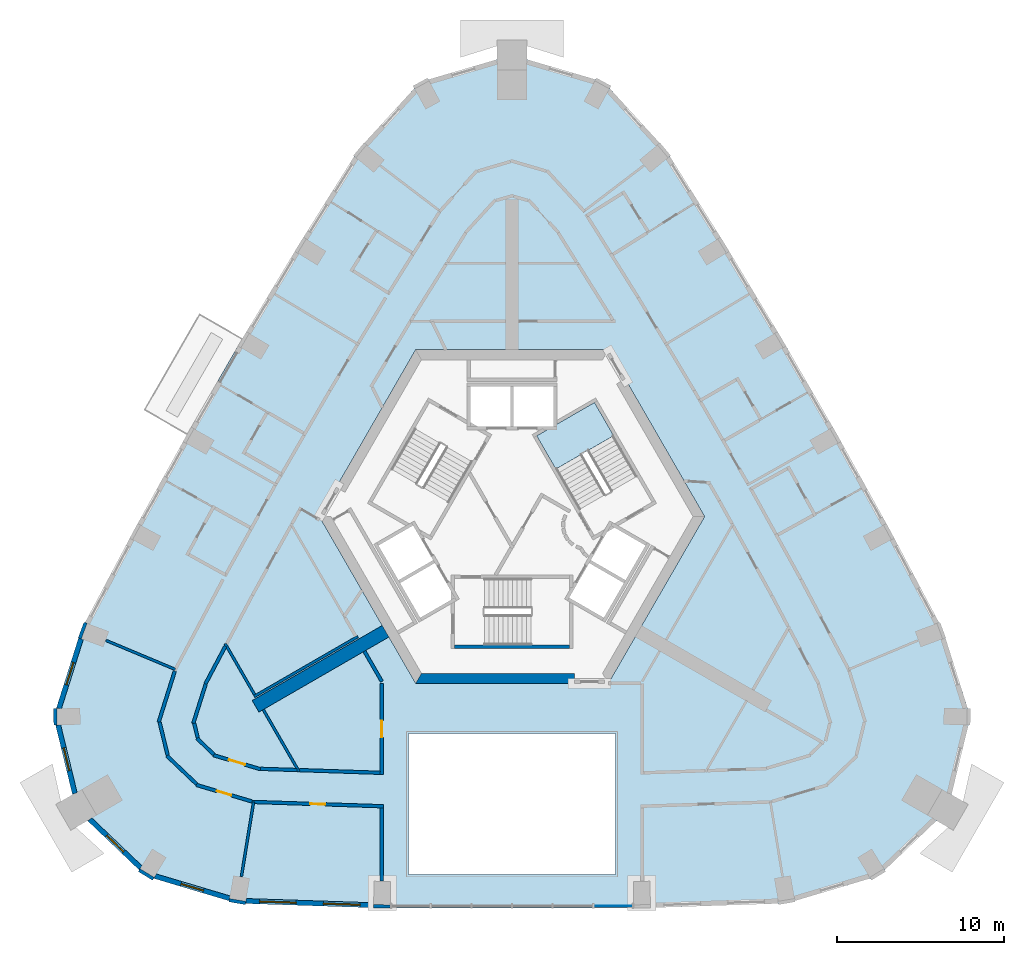
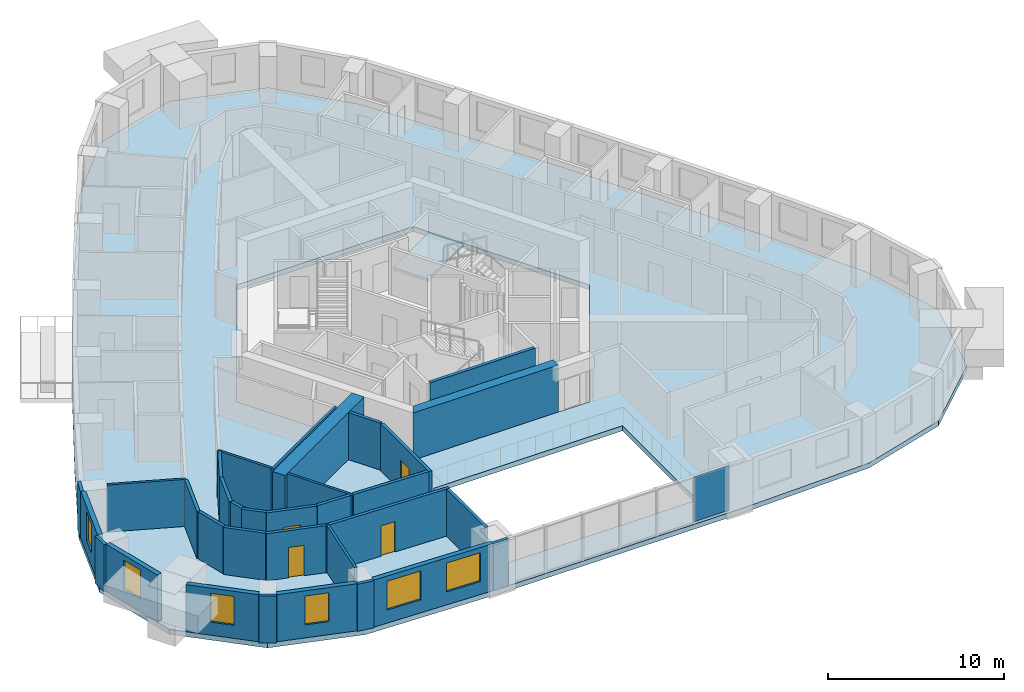
# One storey, part 3 of 13: 33 walls, 6 windows, 4 doors, 2 slabs, 1 plate, 10 openings, 2 elements without a shape of their own.
"""IFC4 building model written with IfcOpenShell, lengths in metres."""

from ifc_helpers import new_model, si_unit, direction, frame, frame_2d, origin, origin_2d, place, context, subcontext, project, spatial, polyline, rectangle, outline, extrude, material, layer, layer_set, type_object, element, fill, aggregate, save


model = new_model("IFC4")

# Units and contexts
model_context = context("Model", 3, precision=1e-05, world=origin(), true_north=direction((0.0, 1.0)))
body_context = subcontext(model_context, "Body", "Model", "MODEL_VIEW")
ifc_project = project(units=[si_unit("LENGTHUNIT", "METRE"), si_unit("AREAUNIT", "SQUARE_METRE"), si_unit("VOLUMEUNIT", "CUBIC_METRE"), si_unit("PLANEANGLEUNIT", "RADIAN"), si_unit("MASSUNIT", "GRAM", prefix="KILO")], contexts=[model_context])

# Site, building, storey
site_placement = place(None, origin())
site = spatial("IfcSite", under=ifc_project, at=site_placement, CompositionType="ELEMENT")
building_placement = place(site_placement, origin())
building = spatial("IfcBuilding", under=site, at=building_placement, Name="Entoto Arch Interchange Tower", CompositionType="ELEMENT")
storey_placement = place(building_placement, frame((0.0, 0.0, 270.199951171875)))
storey = spatial("IfcBuildingStorey", under=building, at=storey_placement, Name="L62", CompositionType="ELEMENT", Elevation=270.199951171875)

# Stair, slab
ifc_material_1 = material(Name="Concrete C40/50", Category="concrete")
stair_type = type_object("IfcStairType", Name="EXIT STAIR RC 1800", PredefinedType="HALF_TURN_STAIR", material=ifc_material_1)
stair_placement = place(storey_placement, origin())
stair = element("IfcStair", 1, at=stair_placement, inside=storey, type_object=stair_type, Name="L62 Exit stair NE", PredefinedType="HALF_TURN_STAIR")
ifc_layer_1 = layer(ifc_material_1, 0.199951171875)
ifc_layer_set_1 = layer_set([ifc_layer_1], Name="Concrete C40/50")
slab_type_1 = type_object("IfcSlabType", Name="EXIT STAIR LANDING RC 200", PredefinedType="LANDING", material=ifc_layer_set_1)
slab_1_placement = place(storey_placement, frame((0.0, 0.0, 1.60009765625)))
slab_1 = element("IfcSlab", 2, at=slab_1_placement, type_object=slab_type_1, Name="ST-NE landing 1", PredefinedType="LANDING", context=body_context, shape_type="SweptSolid", body=[
    extrude(outline(polyline([(6.093505859375, 7.345947265625), (4.943359375, 9.337890625), (1.479248046875, 7.337890625), (2.62939453125, 5.345947265625), (6.093505859375, 7.345947265625)])), origin(), (0.0, 0.0, 1.0), 0.199951171875),
])
aggregate(stair, [slab_1])

# Curtain wall, plate
ifc_material_2 = material(Name="Aluminium, anodised", Category="aluminium")
curtain_wall_type = type_object("IfcCurtainWallType", Name="CURTAIN WALL ATRIUM", PredefinedType="NOTDEFINED", material=ifc_material_2)
curtain_wall_placement = place(storey_placement, origin())
curtain_wall = element("IfcCurtainWall", 3, at=curtain_wall_placement, inside=storey, type_object=curtain_wall_type, Name="Atrium glazing S-02 L62", PredefinedType="NOTDEFINED")
ifc_material_3 = material(Name="Clear glass, low-e double glazed", Category="glass")
ifc_layer_2 = layer(ifc_material_3, 0.031982421875)
ifc_layer_set_2 = layer_set([ifc_layer_2], Name="Clear glass, low-e double glazed")
plate_type = type_object("IfcPlateType", Name="GLAZING PANEL ATRIUM 32", PredefinedType="CURTAIN_PANEL", material=ifc_layer_set_2)
plate_placement = place(storey_placement, frame((6.0576171875, -20.843994140625, 0.080078125), z_axis=(0.0, 0.0, 1.0), x_axis=(1.0, 0.0, 0.0)))
plate = element("IfcPlate", 4, at=plate_placement, type_object=plate_type, Name="CWA panel 6.1", PredefinedType="CURTAIN_PANEL", context=body_context, shape_type="SweptSolid", body=[
    extrude(rectangle(XDim=2.282958984375, YDim=0.031982421875, at=origin_2d()), origin(), (0.0, 0.0, 1.0), 3.10009765625),
])
aggregate(curtain_wall, [plate])

# Slab
ifc_layer_3 = layer(ifc_material_1, 0.340087890625)
ifc_layer_set_3 = layer_set([ifc_layer_3], Name="Concrete C40/50")
slab_type_2 = type_object("IfcSlabType", Name="Post-tensioned flat plate 340 C40/50", PredefinedType="FLOOR", material=ifc_layer_set_3)
slab_2_placement = place(storey_placement, frame((0.0, 0.0, -0.33984375)))
element("IfcSlab", 5, at=slab_2_placement, inside=storey, type_object=slab_type_2, Name="Floor slab L62", PredefinedType="FLOOR", context=body_context, shape_type="SweptSolid", body=[
    extrude(outline(polyline([(-16.47998046875, -20.679931640625), (-7.800048828125, -20.968994140625), (7.800048828125, -20.968994140625), (16.47998046875, -20.679931640625), (21.97705078125, -19.0419921875), (26.125, -15.083984375), (27.47900390625, -9.510986328125), (25.83203125, -4.299072265625), (22.681884765625, 1.64404296875), (19.47998046875, 7.428955078125), (16.174072265625, 13.155029296875), (12.764892578125, 18.822021484375), (9.19189453125, 24.52099609375), (5.501953125, 28.553955078125), (0.0, 30.1669921875), (-5.501953125, 28.553955078125), (-9.19189453125, 24.52099609375), (-12.764892578125, 18.822021484375), (-16.174072265625, 13.155029296875), (-19.47998046875, 7.428955078125), (-22.681884765625, 1.64404296875), (-25.83203125, -4.299072265625), (-27.47900390625, -9.510986328125), (-26.125, -15.083984375), (-21.97705078125, -19.0419921875), (-16.47998046875, -20.679931640625)]), holes=[polyline([(6.199951171875, -18.968994140625), (6.199951171875, -10.5), (-6.199951171875, -10.5), (-6.199951171875, -18.968994140625), (6.199951171875, -18.968994140625)]), polyline([(11.547119140625, 2.5), (5.77392578125, 12.5), (-5.77392578125, 12.5), (-11.547119140625, 2.5), (-5.77392578125, -7.5), (5.77392578125, -7.5), (11.547119140625, 2.5)])]), origin(), (0.0, 0.0, 1.0), 0.33984375),
])

# Walls
ifc_layer_4 = layer(ifc_material_1, 0.800048828125)
ifc_layer_set_4 = layer_set([ifc_layer_4], Name="Concrete C40/50")
wall_type_1 = type_object("IfcWallType", Name="Buttress wall 800 C40/50", PredefinedType="SHEAR", material=ifc_layer_set_4)
wall_1_placement = place(storey_placement, frame((-7.577880859375, -4.375, -0.33984375), z_axis=(0.0, 0.0, 1.0), x_axis=(-0.866024315419, -0.5000018851, 0.0)))
element("IfcWall", 6, at=wall_1_placement, inside=storey, type_object=wall_type_1, Name="Buttress wall SW L62", PredefinedType="SHEAR", context=body_context, shape_type="SweptSolid", body=[
    extrude(rectangle(XDim=9.0, YDim=0.800048828125, at=frame_2d((4.5, 0.0))), origin(), (0.0, 0.0, 1.0), 3.599853515625),
])
ifc_layer_5 = layer(ifc_material_1, 0.60009765625)
ifc_layer_set_5 = layer_set([ifc_layer_5], Name="Concrete C40/50")
wall_type_2 = type_object("IfcWallType", Name="Core wall 600 C40/50", PredefinedType="SHEAR", material=ifc_layer_set_5)
wall_2_placement = place(storey_placement, frame((0.0, 0.0, -0.33984375)))
element("IfcWall", 7, at=wall_2_placement, inside=storey, type_object=wall_type_2, Name="Core wall S L62", PredefinedType="SHEAR", context=body_context, shape_type="SweptSolid", body=[
    extrude(outline(polyline([(3.75, -7.5), (3.75, -6.89990234375), (-5.427001953125, -6.89990234375), (-5.77392578125, -7.5), (3.75, -7.5)])), origin(), (0.0, 0.0, 1.0), 3.599853515625),
])
ifc_material_4 = material(Name="Gypsum board partition on steel studs", Category="steel")
ifc_layer_6 = layer(ifc_material_4, 0.14990234375)
ifc_layer_set_6 = layer_set([ifc_layer_6], Name="Gypsum board partition on steel studs")
wall_type_3 = type_object("IfcWallType", Name="PARTITION 150", PredefinedType="PARTITIONING", material=ifc_layer_set_6)
wall_3_placement = place(storey_placement, frame((-9.239990234375, -4.695068359375, 0.0), z_axis=(0.0, 0.0, 1.0), x_axis=(-0.866015037582, -0.500017954359, 0.0)))
element("IfcWall", 8, at=wall_3_placement, inside=storey, type_object=wall_type_3, Name="wall:L62:p108", PredefinedType="PARTITIONING", context=body_context, shape_type="SweptSolid", body=[
    extrude(rectangle(XDim=7.175537109375, YDim=0.14990234375, at=frame_2d((3.587890625, 0.0))), origin(), (0.0, 0.0, 1.0), 3.260009765625),
])
wall_4_placement = place(storey_placement, frame((-15.427001953125, -8.179931640625, 0.0), z_axis=(0.0, 0.0, 1.0), x_axis=(-0.500045204515, 0.865999303373, 0.0)))
element("IfcWall", 9, at=wall_4_placement, inside=storey, type_object=wall_type_3, Name="wall:L62:p109", PredefinedType="PARTITIONING", context=body_context, shape_type="SweptSolid", body=[
    extrude(rectangle(XDim=3.535888671875, YDim=0.14990234375, at=frame_2d((1.76806640625, 0.0))), origin(), (0.0, 0.0, 1.0), 3.260009765625),
])
wall_5_placement = place(storey_placement, frame((-12.76904296875, -12.783935546875, 0.0), z_axis=(0.0, 0.0, 1.0), x_axis=(-0.499998569178, 0.866026229868, 0.0)))
element("IfcWall", 10, at=wall_5_placement, inside=storey, type_object=wall_type_3, Name="wall:L62:p110", PredefinedType="PARTITIONING", context=body_context, shape_type="SweptSolid", body=[
    extrude(rectangle(XDim=4.2861328125, YDim=0.14990234375, at=frame_2d((2.14306640625, 0.0))), origin(), (0.0, 0.0, 1.0), 3.260009765625),
])
wall_6_placement = place(storey_placement, frame((-20.18310546875, -6.666015625, 0.0), z_axis=(0.0, 0.0, 1.0), x_axis=(-0.922347108299, 0.386362280525, 0.0)))
element("IfcWall", 11, at=wall_6_placement, inside=storey, type_object=wall_type_3, Name="wall:L62:p143", PredefinedType="PARTITIONING", context=body_context, shape_type="SweptSolid", body=[
    extrude(rectangle(XDim=4.50341796875, YDim=0.14990234375, at=frame_2d((2.251708984375, 0.0))), origin(), (0.0, 0.0, 1.0), 3.260009765625),
])
wall_7_placement = place(storey_placement, frame((-15.490966796875, -14.610107421875, 0.0), z_axis=(0.0, 0.0, 1.0), x_axis=(-0.160928343418, -0.986966092774, 0.0)))
element("IfcWall", 12, at=wall_7_placement, inside=storey, type_object=wall_type_3, Name="wall:L62:p144", PredefinedType="PARTITIONING", context=body_context, shape_type="SweptSolid", body=[
    extrude(rectangle(XDim=4.530029296875, YDim=0.14990234375, at=frame_2d((2.26513671875, 0.0))), origin(), (0.0, 0.0, 1.0), 3.260009765625),
])
ifc_layer_7 = layer(ifc_material_4, 0.199951171875)
ifc_layer_set_7 = layer_set([ifc_layer_7], Name="Gypsum board partition on steel studs")
wall_type_4 = type_object("IfcWallType", Name="PARTITION 200", PredefinedType="PARTITIONING", material=ifc_layer_set_7)
wall_8_placement = place(storey_placement, frame((-12.743896484375, -12.699951171875, 0.0), z_axis=(0.0, 0.0, 1.0), x_axis=(0.999447196828, -0.033246063702, 0.0)))
element("IfcWall", 13, at=wall_8_placement, inside=storey, type_object=wall_type_4, Name="wall:L62:p031", PredefinedType="PARTITIONING", context=body_context, shape_type="SweptSolid", body=[
    extrude(rectangle(XDim=4.8466796875, YDim=0.199951171875, at=frame_2d((2.42333984375, 0.0))), origin(), (0.0, 0.0, 1.0), 3.260009765625),
])
wall_9_placement = place(storey_placement, frame((-17.179931640625, -5.27099609375, 0.0), z_axis=(0.0, 0.0, 1.0), x_axis=(-0.468212372113, -0.883615965564, 0.0)))
element("IfcWall", 14, at=wall_9_placement, inside=storey, type_object=wall_type_4, Name="wall:L62:p032", PredefinedType="PARTITIONING", context=body_context, shape_type="SweptSolid", body=[
    extrude(rectangle(XDim=2.556640625, YDim=0.199951171875, at=frame_2d((1.2783203125, 0.0))), origin(), (0.0, 0.0, 1.0), 3.260009765625),
])
wall_10_placement = place(storey_placement, frame((-18.360107421875, -7.537109375, 0.0), z_axis=(0.0, 0.0, 1.0), x_axis=(-0.301325410186, -0.953521366922, 0.0)))
element("IfcWall", 15, at=wall_10_placement, inside=storey, type_object=wall_type_4, Name="wall:L62:p033", PredefinedType="PARTITIONING", context=body_context, shape_type="SweptSolid", body=[
    extrude(rectangle(XDim=2.46875, YDim=0.199951171875, at=frame_2d((1.234375, 0.0))), origin(), (0.0, 0.0, 1.0), 3.260009765625),
])
wall_11_placement = place(storey_placement, frame((-19.051025390625, -9.89306640625, 0.0), z_axis=(0.0, 0.0, 1.0), x_axis=(0.237162553963, -0.971469980492, 0.0)))
element("IfcWall", 16, at=wall_11_placement, inside=storey, type_object=wall_type_4, Name="wall:L62:p034", PredefinedType="PARTITIONING", context=body_context, shape_type="SweptSolid", body=[
    extrude(rectangle(XDim=0.898681640625, YDim=0.199951171875, at=frame_2d((0.44921875, 0.0))), origin(), (0.0, 0.0, 1.0), 3.260009765625),
])
wall_12_placement = place(storey_placement, frame((-18.886962890625, -10.7939453125, 0.0), z_axis=(0.0, 0.0, 1.0), x_axis=(0.723206051435, -0.690632324155, 0.0)))
element("IfcWall", 17, at=wall_12_placement, inside=storey, type_object=wall_type_4, Name="wall:L62:p035", PredefinedType="PARTITIONING", context=body_context, shape_type="SweptSolid", body=[
    extrude(rectangle(XDim=1.4091796875, YDim=0.199951171875, at=frame_2d((0.70458984375, 0.0))), origin(), (0.0, 0.0, 1.0), 3.260009765625),
])

# Wall, opening, door
wall_13_placement = place(storey_placement, frame((-17.89111328125, -11.806884765625, 0.0), z_axis=(0.0, 0.0, 1.0), x_axis=(0.958288558025, -0.28580244848, 0.0)))
wall_13 = element("IfcWall", 18, at=wall_13_placement, inside=storey, type_object=wall_type_4, Name="wall:L62:p036", PredefinedType="PARTITIONING", context=body_context, shape_type="SweptSolid", body=[
    extrude(rectangle(XDim=2.94287109375, YDim=0.199951171875, at=frame_2d((1.471435546875, 0.0))), origin(), (0.0, 0.0, 1.0), 3.260009765625),
])
opening_1_placement = place(wall_13_placement, frame((0.970947265625, 0.0, 0.0)))
opening_1 = element("IfcOpeningElement", 19, at=opening_1_placement, cuts=wall_13, Name="Opening L62-D31", PredefinedType="OPENING", context=body_context, shape_type="SweptSolid", body=[
    extrude(rectangle(XDim=1.0, YDim=2.10009765625, at=frame_2d((0.5, 1.050048828125))), frame((0.0, 0.10986328125, 0.0), z_axis=(0.0, -1.0, 0.0), x_axis=(1.0, 0.0, 0.0)), (0.0, 0.0, 1.0), 0.219970703125),
])
ifc_material_5 = material(Name="Timber door leaf in Steel S235 frame", Category="steel")
door_type_1 = type_object("IfcDoorType", Name="DOOR DS-10 1000x2100", OperationType="SINGLE_SWING_LEFT", PredefinedType="DOOR", material=ifc_material_5)
door_1_placement = place(opening_1_placement, origin())
door_1 = element("IfcDoor", 20, at=door_1_placement, inside=storey, type_object=door_type_1, Name="door:L62:31", OperationType="SINGLE_SWING_LEFT", OverallHeight=2.10009765625, OverallWidth=1.0, PredefinedType="DOOR", context=body_context, shape_type="SweptSolid", body=[
    extrude(rectangle(XDim=1.0, YDim=2.10009765625, at=frame_2d((0.5, 1.050048828125))), frame((0.0, 0.02490234375, 0.0), z_axis=(0.0, -1.0, 0.0), x_axis=(1.0, 0.0, 0.0)), (0.0, 0.0, 1.0), 0.050048828125),
])
fill(opening_1, door_1)

# Wall
wall_14_placement = place(storey_placement, frame((-15.06689453125, -12.623046875, 0.0), z_axis=(0.0, 0.0, 1.0), x_axis=(0.99945112134, -0.033127874247, 0.0)))
element("IfcWall", 21, at=wall_14_placement, inside=storey, type_object=wall_type_4, Name="wall:L62:p037", PredefinedType="PARTITIONING", context=body_context, shape_type="SweptSolid", body=[
    extrude(rectangle(XDim=2.174072265625, YDim=0.199951171875, at=frame_2d((1.0869140625, 0.0))), origin(), (0.0, 0.0, 1.0), 3.260009765625),
])

# Wall, opening, door
wall_15_placement = place(storey_placement, frame((-15.5869140625, -14.5810546875, 0.0), z_axis=(0.0, 0.0, 1.0), x_axis=(-0.958378336681, 0.285501250052, 0.0)))
wall_15 = element("IfcWall", 22, at=wall_15_placement, inside=storey, type_object=wall_type_4, Name="wall:L62:p067", PredefinedType="PARTITIONING", context=body_context, shape_type="SweptSolid", body=[
    extrude(rectangle(XDim=3.482177734375, YDim=0.199951171875, at=frame_2d((1.7412109375, 0.0))), origin(), (0.0, 0.0, 1.0), 3.260009765625),
])
opening_2_placement = place(wall_15_placement, frame((1.291015625, 0.0, 0.0)))
opening_2 = element("IfcOpeningElement", 23, at=opening_2_placement, cuts=wall_15, Name="Opening L62-D22", PredefinedType="OPENING", context=body_context, shape_type="SweptSolid", body=[
    extrude(rectangle(XDim=0.89990234375, YDim=2.10009765625, at=frame_2d((0.449951171875, 1.050048828125))), frame((0.0, 0.10986328125, 0.0), z_axis=(0.0, -1.0, 0.0), x_axis=(1.0, 0.0, 0.0)), (0.0, 0.0, 1.0), 0.219970703125),
])
door_type_2 = type_object("IfcDoorType", Name="DOOR DS-09 900x2100", OperationType="SINGLE_SWING_LEFT", PredefinedType="DOOR", material=ifc_material_5)
door_2_placement = place(opening_2_placement, origin())
door_2 = element("IfcDoor", 24, at=door_2_placement, inside=storey, type_object=door_type_2, Name="door:L62:22", OperationType="SINGLE_SWING_LEFT", OverallHeight=2.10009765625, OverallWidth=0.89990234375, PredefinedType="DOOR", context=body_context, shape_type="SweptSolid", body=[
    extrude(rectangle(XDim=0.89990234375, YDim=2.10009765625, at=frame_2d((0.449951171875, 1.050048828125))), frame((0.0, 0.02490234375, 0.0), z_axis=(0.0, -1.0, 0.0), x_axis=(1.0, 0.0, 0.0)), (0.0, 0.0, 1.0), 0.050048828125),
])
fill(opening_2, door_2)

# Walls
wall_16_placement = place(storey_placement, frame((-18.89990234375, -13.5458984375, 0.0), z_axis=(0.0, 0.0, 1.0), x_axis=(-0.723668833869, 0.690147389248, 0.0)))
element("IfcWall", 25, at=wall_16_placement, inside=storey, type_object=wall_type_4, Name="wall:L62:p068", PredefinedType="PARTITIONING", context=body_context, shape_type="SweptSolid", body=[
    extrude(rectangle(XDim=2.476318359375, YDim=0.199951171875, at=frame_2d((1.23828125, 0.0))), origin(), (0.0, 0.0, 1.0), 3.260009765625),
])
wall_17_placement = place(storey_placement, frame((-20.64306640625, -11.80810546875, 0.0), z_axis=(0.0, 0.0, 1.0), x_axis=(-0.236372924437, 0.971662410816, 0.0)))
element("IfcWall", 26, at=wall_17_placement, inside=storey, type_object=wall_type_4, Name="wall:L62:p069", PredefinedType="PARTITIONING", context=body_context, shape_type="SweptSolid", body=[
    extrude(rectangle(XDim=2.04296875, YDim=0.199951171875, at=frame_2d((1.021484375, 0.0))), origin(), (0.0, 0.0, 1.0), 3.260009765625),
])
wall_18_placement = place(storey_placement, frame((-21.179931640625, -9.821044921875, 0.0), z_axis=(0.0, 0.0, 1.0), x_axis=(0.301331608119, 0.953519408271, 0.0)))
element("IfcWall", 27, at=wall_18_placement, inside=storey, type_object=wall_type_4, Name="wall:L62:p070", PredefinedType="PARTITIONING", context=body_context, shape_type="SweptSolid", body=[
    extrude(rectangle(XDim=3.209228515625, YDim=0.199951171875, at=frame_2d((1.6044921875, 0.0))), origin(), (0.0, 0.0, 1.0), 3.260009765625),
])

# Wall, opening, door
wall_19_placement = place(storey_placement, frame((-7.699951171875, -14.868896484375, 0.0), z_axis=(0.0, 0.0, 1.0), x_axis=(-0.999445318732, 0.03330247535, 0.0)))
wall_19 = element("IfcWall", 28, at=wall_19_placement, inside=storey, type_object=wall_type_4, Name="wall:L62:p071", PredefinedType="PARTITIONING", context=body_context, shape_type="SweptSolid", body=[
    extrude(rectangle(XDim=7.8955078125, YDim=0.199951171875, at=frame_2d((3.94775390625, 0.0))), origin(), (0.0, 0.0, 1.0), 3.260009765625),
])
opening_3_placement = place(wall_19_placement, frame((3.498046875, 0.0, 0.0)))
opening_3 = element("IfcOpeningElement", 29, at=opening_3_placement, cuts=wall_19, Name="Opening L62-D23", PredefinedType="OPENING", context=body_context, shape_type="SweptSolid", body=[
    extrude(rectangle(XDim=0.89990234375, YDim=2.10009765625, at=frame_2d((0.449951171875, 1.050048828125))), frame((0.0, 0.10986328125, 0.0), z_axis=(0.0, -1.0, 0.0), x_axis=(1.0, 0.0, 0.0)), (0.0, 0.0, 1.0), 0.219970703125),
])
door_3_placement = place(opening_3_placement, origin())
door_3 = element("IfcDoor", 30, at=door_3_placement, inside=storey, type_object=door_type_2, Name="door:L62:23", OperationType="SINGLE_SWING_LEFT", OverallHeight=2.10009765625, OverallWidth=0.89990234375, PredefinedType="DOOR", context=body_context, shape_type="SweptSolid", body=[
    extrude(rectangle(XDim=0.89990234375, YDim=2.10009765625, at=frame_2d((0.449951171875, 1.050048828125))), frame((0.0, 0.02490234375, 0.0), z_axis=(0.0, -1.0, 0.0), x_axis=(1.0, 0.0, 0.0)), (0.0, 0.0, 1.0), 0.050048828125),
])
fill(opening_3, door_3)

wall_20_placement = place(storey_placement, frame((-7.800048828125, -12.964111328125, 0.0), z_axis=(0.0, 0.0, 1.0), x_axis=(0.0, 1.0, 0.0)))
wall_20 = element("IfcWall", 31, at=wall_20_placement, inside=storey, type_object=wall_type_4, Name="wall:L62:p100", PredefinedType="PARTITIONING", context=body_context, shape_type="SweptSolid", body=[
    extrude(rectangle(XDim=5.465087890625, YDim=0.199951171875, at=frame_2d((2.732421875, 0.0))), origin(), (0.0, 0.0, 1.0), 3.260009765625),
])
opening_4_placement = place(wall_20_placement, frame((2.23291015625, 0.0, 0.0)))
opening_4 = element("IfcOpeningElement", 32, at=opening_4_placement, cuts=wall_20, Name="Opening L62-D30", PredefinedType="OPENING", context=body_context, shape_type="SweptSolid", body=[
    extrude(rectangle(XDim=1.0, YDim=2.10009765625, at=frame_2d((0.5, 1.050048828125))), frame((0.0, 0.10986328125, 0.0), z_axis=(0.0, -1.0, 0.0), x_axis=(1.0, 0.0, 0.0)), (0.0, 0.0, 1.0), 0.219970703125),
])
door_4_placement = place(opening_4_placement, origin())
door_4 = element("IfcDoor", 33, at=door_4_placement, inside=storey, type_object=door_type_1, Name="door:L62:30", OperationType="SINGLE_SWING_LEFT", OverallHeight=2.10009765625, OverallWidth=1.0, PredefinedType="DOOR", context=body_context, shape_type="SweptSolid", body=[
    extrude(rectangle(XDim=1.0, YDim=2.10009765625, at=frame_2d((0.5, 1.050048828125))), frame((0.0, 0.02490234375, 0.0), z_axis=(0.0, -1.0, 0.0), x_axis=(1.0, 0.0, 0.0)), (0.0, 0.0, 1.0), 0.050048828125),
])
fill(opening_4, door_4)

# Walls
wall_21_placement = place(storey_placement, frame((-7.800048828125, -7.389892578125, 0.0), z_axis=(0.0, 0.0, 1.0), x_axis=(-0.499977374825, 0.866038466041, 0.0)))
element("IfcWall", 34, at=wall_21_placement, inside=storey, type_object=wall_type_4, Name="wall:L62:p101", PredefinedType="PARTITIONING", context=body_context, shape_type="SweptSolid", body=[
    extrude(rectangle(XDim=2.10009765625, YDim=0.199951171875, at=frame_2d((1.050048828125, 0.0))), origin(), (0.0, 0.0, 1.0), 3.260009765625),
])
wall_22_placement = place(storey_placement, frame((-7.800048828125, -19.34912109375, 0.0), z_axis=(0.0, 0.0, 1.0), x_axis=(0.0, 1.0, 0.0)))
element("IfcWall", 35, at=wall_22_placement, inside=storey, type_object=wall_type_4, Name="wall:L62:p103", PredefinedType="PARTITIONING", context=body_context, shape_type="SweptSolid", body=[
    extrude(rectangle(XDim=4.383056640625, YDim=0.199951171875, at=frame_2d((2.19140625, 0.0))), origin(), (0.0, 0.0, 1.0), 3.260009765625),
])
ifc_layer_8 = layer(ifc_material_1, 0.199951171875)
ifc_layer_set_8 = layer_set([ifc_layer_8], Name="Concrete C40/50")
wall_type_5 = type_object("IfcWallType", Name="STAIR ENCLOSURE WALL 200", PredefinedType="STANDARD", material=ifc_layer_set_8)
wall_23_placement = place(storey_placement, frame((-3.449951171875, -5.300048828125, 0.0), z_axis=(0.0, 0.0, 1.0), x_axis=(1.0, 0.0, 0.0)))
element("IfcWall", 36, at=wall_23_placement, inside=storey, type_object=wall_type_5, Name="Stair wall ST-S back", PredefinedType="STANDARD", context=body_context, shape_type="SweptSolid", body=[
    extrude(rectangle(XDim=6.89990234375, YDim=0.199951171875, at=frame_2d((3.449951171875, 0.0))), origin(), (0.0, 0.0, 1.0), 3.260009765625),
])

# Wall, openings, windows
ifc_material_6 = material(Name="Welded tuff (ignimbrite) cladding, warm buff", Category="masonry")
ifc_layer_9 = layer(ifc_material_6, 0.300048828125)
ifc_layer_set_9 = layer_set([ifc_layer_9], Name="Welded tuff (ignimbrite) cladding, warm buff")
wall_type_6 = type_object("IfcWallType", Name="STONE INFILL WALL 300", PredefinedType="STANDARD", material=ifc_layer_set_9)
wall_24_placement = place(storey_placement, frame((-15.950927734375, -20.548095703125, 0.0), z_axis=(0.0, 0.0, 1.0), x_axis=(0.999450376985, -0.033150323459, 0.0)))
wall_24 = element("IfcWall", 37, at=wall_24_placement, inside=storey, type_object=wall_type_6, Name="Facade wall S-01 L62", PredefinedType="STANDARD", context=body_context, shape_type="SweptSolid", body=[
    extrude(rectangle(XDim=7.6591796875, YDim=0.300048828125, at=frame_2d((3.82958984375, 0.0))), origin(), (0.0, 0.0, 1.0), 3.260009765625),
])
opening_5_placement = place(wall_24_placement, frame((0.81494140625, 0.0, 0.89990234375)))
opening_5 = element("IfcOpeningElement", 38, at=opening_5_placement, cuts=wall_24, Name="Opening WH-A", PredefinedType="OPENING", context=body_context, shape_type="SweptSolid", body=[
    extrude(rectangle(XDim=2.199951171875, YDim=2.0, at=frame_2d((1.10009765625, 1.0))), frame((0.0, 0.16015625, 0.0), z_axis=(0.0, -1.0, 0.0), x_axis=(1.0, 0.0, 0.0)), (0.0, 0.0, 1.0), 0.320068359375),
])
opening_6_placement = place(wall_24_placement, frame((4.64404296875, 0.0, 0.89990234375)))
opening_6 = element("IfcOpeningElement", 39, at=opening_6_placement, cuts=wall_24, Name="Opening WH-A", PredefinedType="OPENING", context=body_context, shape_type="SweptSolid", body=[
    extrude(rectangle(XDim=2.199951171875, YDim=2.0, at=frame_2d((1.10009765625, 1.0))), frame((0.0, 0.16015625, 0.0), z_axis=(0.0, -1.0, 0.0), x_axis=(1.0, 0.0, 0.0)), (0.0, 0.0, 1.0), 0.320068359375),
])
window_type_1 = type_object("IfcWindowType", Name="WINDOW WH-A 2200x2000", PartitioningType="DOUBLE_PANEL_VERTICAL", PredefinedType="WINDOW", material=ifc_material_3)
window_1_placement = place(opening_5_placement, origin())
window_1 = element("IfcWindow", 40, at=window_1_placement, inside=storey, type_object=window_type_1, Name="Window WH-A S-01 L62", OverallHeight=2.0, OverallWidth=2.199951171875, PartitioningType="SINGLE_PANEL", PredefinedType="WINDOW", context=body_context, shape_type="SweptSolid", body=[
    extrude(rectangle(XDim=2.199951171875, YDim=2.0, at=frame_2d((1.10009765625, 1.0))), frame((0.0, 0.030029296875, 0.0), z_axis=(0.0, -1.0, 0.0), x_axis=(1.0, 0.0, 0.0)), (0.0, 0.0, 1.0), 0.06005859375),
])
fill(opening_5, window_1)
window_2_placement = place(opening_6_placement, origin())
window_2 = element("IfcWindow", 41, at=window_2_placement, inside=storey, type_object=window_type_1, Name="Window WH-A S-01 L62", OverallHeight=2.0, OverallWidth=2.199951171875, PartitioningType="SINGLE_PANEL", PredefinedType="WINDOW", context=body_context, shape_type="SweptSolid", body=[
    extrude(rectangle(XDim=2.199951171875, YDim=2.0, at=frame_2d((1.10009765625, 1.0))), frame((0.0, 0.030029296875, 0.0), z_axis=(0.0, -1.0, 0.0), x_axis=(1.0, 0.0, 0.0)), (0.0, 0.0, 1.0), 0.06005859375),
])
fill(opening_6, window_2)

# Wall, opening, window
wall_25_placement = place(storey_placement, frame((-25.842041015625, -4.826904296875, 0.0), z_axis=(0.0, 0.0, 1.0), x_axis=(-0.30108868778, -0.953596142028, 0.0)))
wall_25 = element("IfcWall", 42, at=wall_25_placement, inside=storey, type_object=wall_type_6, Name="Facade wall SW-01 L62", PredefinedType="STANDARD", context=body_context, shape_type="SweptSolid", body=[
    extrude(rectangle(XDim=4.38037109375, YDim=0.300048828125, at=frame_2d((2.190185546875, 0.0))), origin(), (0.0, 0.0, 1.0), 3.260009765625),
])
opening_7_placement = place(wall_25_placement, frame((1.489990234375, 0.0, 0.89990234375)))
opening_7 = element("IfcOpeningElement", 43, at=opening_7_placement, cuts=wall_25, Name="Opening WH-B", PredefinedType="OPENING", context=body_context, shape_type="SweptSolid", body=[
    extrude(rectangle(XDim=1.39990234375, YDim=2.0, at=frame_2d((0.699951171875, 1.0))), frame((0.0, 0.16015625, 0.0), z_axis=(0.0, -1.0, 0.0), x_axis=(1.0, 0.0, 0.0)), (0.0, 0.0, 1.0), 0.320068359375),
])
window_type_2 = type_object("IfcWindowType", Name="WINDOW WH-B 1400x2000", PartitioningType="DOUBLE_PANEL_VERTICAL", PredefinedType="WINDOW", material=ifc_material_3)
window_3_placement = place(opening_7_placement, origin())
window_3 = element("IfcWindow", 44, at=window_3_placement, inside=storey, type_object=window_type_2, Name="Window WH-B SW-01 L62", OverallHeight=2.0, OverallWidth=1.39990234375, PartitioningType="SINGLE_PANEL", PredefinedType="WINDOW", context=body_context, shape_type="SweptSolid", body=[
    extrude(rectangle(XDim=1.39990234375, YDim=2.0, at=frame_2d((0.699951171875, 1.0))), frame((0.0, 0.030029296875, 0.0), z_axis=(0.0, -1.0, 0.0), x_axis=(1.0, 0.0, 0.0)), (0.0, 0.0, 1.0), 0.06005859375),
])
fill(opening_7, window_3)

wall_26_placement = place(storey_placement, frame((-27.205078125, -10.0029296875, 0.0), z_axis=(0.0, 0.0, 1.0), x_axis=(0.236077883519, -0.97173413695, 0.0)))
wall_26 = element("IfcWall", 45, at=wall_26_placement, inside=storey, type_object=wall_type_6, Name="Facade wall SW-02 L62", PredefinedType="STANDARD", context=body_context, shape_type="SweptSolid", body=[
    extrude(rectangle(XDim=4.211181640625, YDim=0.300048828125, at=frame_2d((2.10546875, 0.0))), origin(), (0.0, 0.0, 1.0), 3.260009765625),
])
opening_8_placement = place(wall_26_placement, frame((1.405029296875, 0.0, 0.89990234375)))
opening_8 = element("IfcOpeningElement", 46, at=opening_8_placement, cuts=wall_26, Name="Opening WH-B", PredefinedType="OPENING", context=body_context, shape_type="SweptSolid", body=[
    extrude(rectangle(XDim=1.39990234375, YDim=2.0, at=frame_2d((0.699951171875, 1.0))), frame((0.0, 0.16015625, 0.0), z_axis=(0.0, -1.0, 0.0), x_axis=(1.0, 0.0, 0.0)), (0.0, 0.0, 1.0), 0.320068359375),
])
window_4_placement = place(opening_8_placement, origin())
window_4 = element("IfcWindow", 47, at=window_4_placement, inside=storey, type_object=window_type_2, Name="Window WH-B SW-02 L62", OverallHeight=2.0, OverallWidth=1.39990234375, PartitioningType="SINGLE_PANEL", PredefinedType="WINDOW", context=body_context, shape_type="SweptSolid", body=[
    extrude(rectangle(XDim=1.39990234375, YDim=2.0, at=frame_2d((0.699951171875, 1.0))), frame((0.0, 0.030029296875, 0.0), z_axis=(0.0, -1.0, 0.0), x_axis=(1.0, 0.0, 0.0)), (0.0, 0.0, 1.0), 0.06005859375),
])
fill(opening_8, window_4)

wall_27_placement = place(storey_placement, frame((-25.31201171875, -15.653076171875, 0.0), z_axis=(0.0, 0.0, 1.0), x_axis=(0.723526681061, -0.690296415892, 0.0)))
wall_27 = element("IfcWall", 48, at=wall_27_placement, inside=storey, type_object=wall_type_6, Name="Facade wall SW-03 L62", PredefinedType="STANDARD", context=body_context, shape_type="SweptSolid", body=[
    extrude(rectangle(XDim=4.209716796875, YDim=0.300048828125, at=frame_2d((2.10498046875, 0.0))), origin(), (0.0, 0.0, 1.0), 3.260009765625),
])
opening_9_placement = place(wall_27_placement, frame((1.405029296875, 0.0, 0.89990234375)))
opening_9 = element("IfcOpeningElement", 49, at=opening_9_placement, cuts=wall_27, Name="Opening WH-B", PredefinedType="OPENING", context=body_context, shape_type="SweptSolid", body=[
    extrude(rectangle(XDim=1.39990234375, YDim=2.0, at=frame_2d((0.699951171875, 1.0))), frame((0.0, 0.16015625, 0.0), z_axis=(0.0, -1.0, 0.0), x_axis=(1.0, 0.0, 0.0)), (0.0, 0.0, 1.0), 0.320068359375),
])
window_5_placement = place(opening_9_placement, origin())
window_5 = element("IfcWindow", 50, at=window_5_placement, inside=storey, type_object=window_type_2, Name="Window WH-B SW-03 L62", OverallHeight=2.0, OverallWidth=1.39990234375, PartitioningType="SINGLE_PANEL", PredefinedType="WINDOW", context=body_context, shape_type="SweptSolid", body=[
    extrude(rectangle(XDim=1.39990234375, YDim=2.0, at=frame_2d((0.699951171875, 1.0))), frame((0.0, 0.030029296875, 0.0), z_axis=(0.0, -1.0, 0.0), x_axis=(1.0, 0.0, 0.0)), (0.0, 0.0, 1.0), 0.06005859375),
])
fill(opening_9, window_5)

wall_28_placement = place(storey_placement, frame((-21.40087890625, -19.056884765625, 0.0), z_axis=(0.0, 0.0, 1.0), x_axis=(0.958361270465, -0.285558532131, 0.0)))
wall_28 = element("IfcWall", 51, at=wall_28_placement, inside=storey, type_object=wall_type_6, Name="Facade wall SW-04 L62", PredefinedType="STANDARD", context=body_context, shape_type="SweptSolid", body=[
    extrude(rectangle(XDim=4.65771484375, YDim=0.300048828125, at=frame_2d((2.328857421875, 0.0))), origin(), (0.0, 0.0, 1.0), 3.260009765625),
])
opening_10_placement = place(wall_28_placement, frame((1.62890625, 0.0, 0.89990234375)))
opening_10 = element("IfcOpeningElement", 52, at=opening_10_placement, cuts=wall_28, Name="Opening WH-B", PredefinedType="OPENING", context=body_context, shape_type="SweptSolid", body=[
    extrude(rectangle(XDim=1.39990234375, YDim=2.0, at=frame_2d((0.699951171875, 1.0))), frame((0.0, 0.16015625, 0.0), z_axis=(0.0, -1.0, 0.0), x_axis=(1.0, 0.0, 0.0)), (0.0, 0.0, 1.0), 0.320068359375),
])
window_6_placement = place(opening_10_placement, origin())
window_6 = element("IfcWindow", 53, at=window_6_placement, inside=storey, type_object=window_type_2, Name="Window WH-B SW-04 L62", OverallHeight=2.0, OverallWidth=1.39990234375, PartitioningType="SINGLE_PANEL", PredefinedType="WINDOW", context=body_context, shape_type="SweptSolid", body=[
    extrude(rectangle(XDim=1.39990234375, YDim=2.0, at=frame_2d((0.699951171875, 1.0))), frame((0.0, 0.030029296875, 0.0), z_axis=(0.0, -1.0, 0.0), x_axis=(1.0, 0.0, 0.0)), (0.0, 0.0, 1.0), 0.06005859375),
])
fill(opening_10, window_6)

# Walls
ifc_layer_10 = layer(ifc_material_6, 0.199951171875)
ifc_layer_set_10 = layer_set([ifc_layer_10], Name="Welded tuff (ignimbrite) cladding, warm buff")
wall_type_7 = type_object("IfcWallType", Name="STONE PIER CLADDING 200", PredefinedType="STANDARD", material=ifc_layer_set_10)
for number, where, z_axis, x_axis, name in (
    (54, (-25.56494140625, -3.864990234375, 0.0), (0.0, 0.0, 1.0), (-0.347107644204, -0.937825294677, 0.0), "Stone pier NW06 L62"),
    (55, (-16.9560546875, -20.498046875, 0.0), (0.0, 0.0, 1.0), (0.985961725342, -0.166971483074, 0.0), "Stone pier S01 L62"),
    (56, (-8.298095703125, -20.860107421875, 0.0), (0.0, 0.0, 1.0), (0.999841221248, -0.017819435828, 0.0), "Stone pier S02 L62"),
):
    element("IfcWall", number, at=place(storey_placement, frame(where, z_axis=z_axis, x_axis=x_axis)), inside=storey, type_object=wall_type_7, Name=name, PredefinedType="STANDARD", context=body_context, shape_type="SweptSolid", body=[
        extrude(rectangle(XDim=1.000244140625, YDim=0.199951171875, at=frame_2d((0.5, 0.0))), origin(), (0.0, 0.0, 1.0), 3.260009765625),
    ])
wall_29_placement = place(storey_placement, frame((-27.39111328125, -9.009033203125, 0.0), z_axis=(0.0, 0.0, 1.0), x_axis=(0.024186470916, -0.999707464524, 0.0)))
element("IfcWall", 57, at=wall_29_placement, inside=storey, type_object=wall_type_7, Name="Stone pier SW1 L62", PredefinedType="STANDARD", context=body_context, shape_type="SweptSolid", body=[
    extrude(rectangle(XDim=0.999267578125, YDim=0.199951171875, at=frame_2d((0.49951171875, 0.0))), origin(), (0.0, 0.0, 1.0), 3.260009765625),
])
wall_30_placement = place(storey_placement, frame((-22.35205078125, -18.696044921875, 0.0), z_axis=(0.0, 0.0, 1.0), x_axis=(0.853679739553, -0.520798331677, 0.0)))
element("IfcWall", 58, at=wall_30_placement, inside=storey, type_object=wall_type_7, Name="Stone pier SW3 L62", PredefinedType="STANDARD", context=body_context, shape_type="SweptSolid", body=[
    extrude(rectangle(XDim=1.00048828125, YDim=0.199951171875, at=frame_2d((0.500244140625, 0.0))), origin(), (0.0, 0.0, 1.0), 3.260009765625),
])

save(model, "model.ifc")
